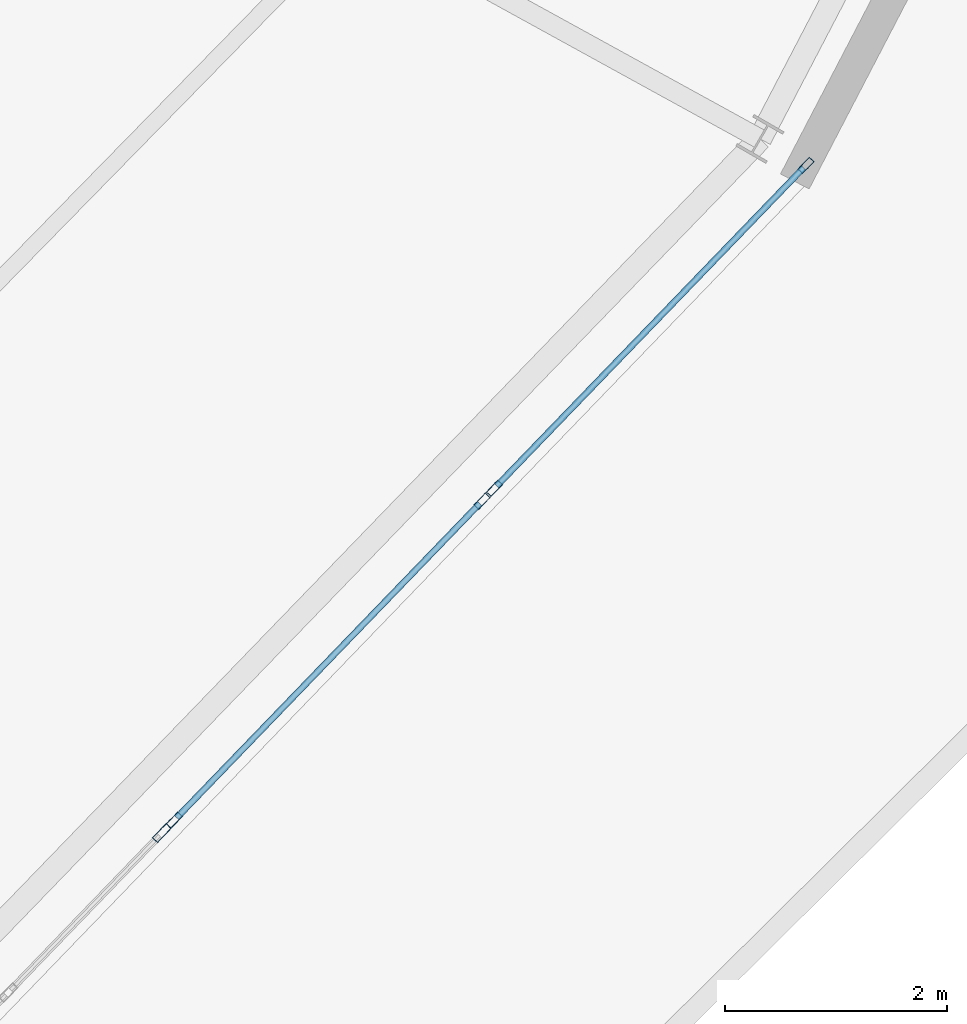
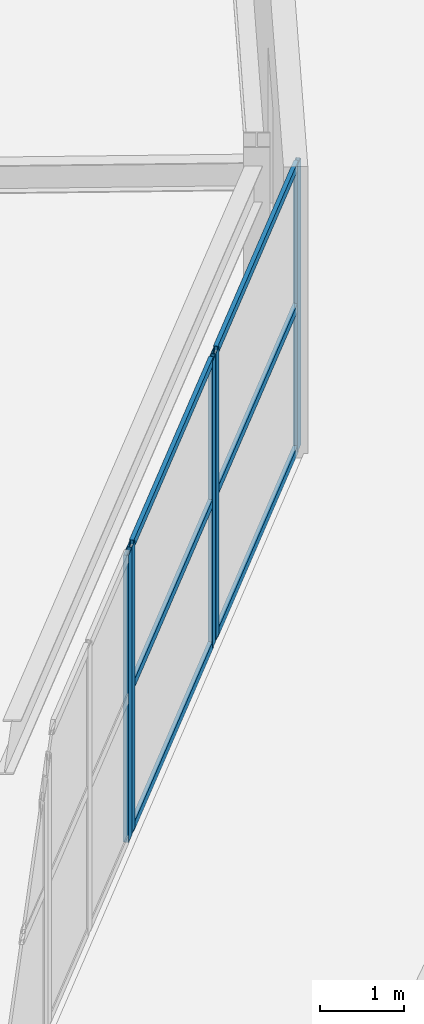
# One storey, part 84 of 126: 11 members, 3 elements without a shape of their own.
"""IFC4 building model written with IfcOpenShell, lengths in metres."""

from ifc_helpers import new_model, si_unit, direction, frame, origin, origin_2d, place, context, subcontext, project, spatial, hollow_rectangle, extrude, material, layer, layer_set, material_profile, profile_set, type_object, element, aggregate, save


model = new_model("IFC4")

# Units and contexts
model_context = context("Model", 3, precision=1e-05, world=origin(), true_north=direction((0.0, 1.0)))
body_context = subcontext(model_context, "Body", "Model", "MODEL_VIEW")
ifc_project = project(units=[si_unit("LENGTHUNIT", "METRE"), si_unit("AREAUNIT", "SQUARE_METRE"), si_unit("VOLUMEUNIT", "CUBIC_METRE"), si_unit("PLANEANGLEUNIT", "RADIAN"), si_unit("MASSUNIT", "GRAM", prefix="KILO")], contexts=[model_context])

# Site, building, storey
site_placement = place(None, origin())
site = spatial("IfcSite", under=ifc_project, at=site_placement, CompositionType="ELEMENT")
building_placement = place(site_placement, origin())
building = spatial("IfcBuilding", under=site, at=building_placement, Name="Kalgoora Escarpment Arena", CompositionType="ELEMENT")
storey_placement = place(building_placement, frame((0.0, 0.0, 18.89990234375)))
storey = spatial("IfcBuildingStorey", under=building, at=storey_placement, Name="L04", CompositionType="ELEMENT", Elevation=18.89990234375)

# Curtain wall, members
ifc_material_1 = material(Name=" Champagne anodised aluminium & double-glazed low-E", Category="aluminium")
ifc_layer_1 = layer(ifc_material_1, 0.166015625)
ifc_layer_set_1 = layer_set([ifc_layer_1], Name="CW-UNIT-19")
curtain_wall_type_1 = type_object("IfcCurtainWallType", Name="CW-UNIT-19", PredefinedType="NOTDEFINED", material=ifc_layer_set_1)
curtain_wall_1_placement = place(storey_placement, origin())
curtain_wall_1 = element("IfcCurtainWall", 1, at=curtain_wall_1_placement, inside=storey, type_object=curtain_wall_type_1, Name="L04 unitised facade curtain wall 098", PredefinedType="NOTDEFINED")
ifc_material_2 = material(Name="Anodised aluminium 6063-T6", Category="aluminium")
ifc_material_profile_1 = material_profile(ifc_material_2, hollow_rectangle(XDim=0.06005859375, YDim=0.14990234375, WallThickness=0.00341796875, at=origin_2d()))
ifc_profile_set_1 = profile_set([ifc_material_profile_1], Name="Anodised aluminium 6063-T6")
member_type_1 = type_object("IfcMemberType", Name="MEM-CW-MULL-150", PredefinedType="MULLION", material=ifc_profile_set_1)
member_1_placement = place(storey_placement, frame((154.992919921875, 35.26171875, 0.02001953125), z_axis=(0.0, 0.0, 1.0), x_axis=(0.719779772297, -0.69420247723, 0.0)))
member_1 = element("IfcMember", 2, at=member_1_placement, type_object=member_type_1, Name="CW-19 mullion 1", PredefinedType="MULLION", context=body_context, shape_type="SweptSolid", body=[
    extrude(hollow_rectangle(XDim=0.06005859375, YDim=0.14990234375, WallThickness=0.00341796875, at=origin_2d()), origin(), (0.0, 0.0, 1.0), 4.170166015625),
])
member_2_placement = place(storey_placement, frame((152.19287109375, 32.3583984375, 0.02001953125), z_axis=(0.0, 0.0, 1.0), x_axis=(0.719779772297, -0.69420247723, 0.0)))
member_2 = element("IfcMember", 3, at=member_2_placement, type_object=member_type_1, Name="CW-19 mullion 2", PredefinedType="MULLION", context=body_context, shape_type="SweptSolid", body=[
    extrude(hollow_rectangle(XDim=0.06005859375, YDim=0.14990234375, WallThickness=0.00341796875, at=origin_2d()), origin(), (0.0, 0.0, 1.0), 4.170166015625),
])

ifc_material_3 = material(Name=" Champagne anodised aluminium & double-glazed low-E", Category="aluminium")
ifc_layer_2 = layer(ifc_material_3, 0.14990234375)
ifc_layer_set_2 = layer_set([ifc_layer_2], Name="CW-UNIT-20")
curtain_wall_type_2 = type_object("IfcCurtainWallType", Name="CW-UNIT-20", PredefinedType="NOTDEFINED", material=ifc_layer_set_2)
curtain_wall_2_placement = place(storey_placement, origin())
curtain_wall_2 = element("IfcCurtainWall", 4, at=curtain_wall_2_placement, inside=storey, type_object=curtain_wall_type_2, Name="L04 unitised facade curtain wall 099", PredefinedType="NOTDEFINED")
member_3_placement = place(storey_placement, frame((152.081787109375, 32.243408203125, 0.02001953125), z_axis=(0.0, 0.0, 1.0), x_axis=(0.719777208849, -0.694205135116, 0.0)))
member_3 = element("IfcMember", 5, at=member_3_placement, type_object=member_type_1, Name="CW-20 mullion 1", PredefinedType="MULLION", context=body_context, shape_type="SweptSolid", body=[
    extrude(hollow_rectangle(XDim=0.06005859375, YDim=0.14990234375, WallThickness=0.00341796875, at=origin_2d()), origin(), (0.0, 0.0, 1.0), 4.170166015625),
])
member_4_placement = place(storey_placement, frame((149.31640625, 29.376220703125, 0.02001953125), z_axis=(0.0, 0.0, 1.0), x_axis=(0.719777208849, -0.694205135116, 0.0)))
member_4 = element("IfcMember", 6, at=member_4_placement, type_object=member_type_1, Name="CW-20 mullion 2", PredefinedType="MULLION", context=body_context, shape_type="SweptSolid", body=[
    extrude(hollow_rectangle(XDim=0.06005859375, YDim=0.14990234375, WallThickness=0.00341796875, at=origin_2d()), origin(), (0.0, 0.0, 1.0), 4.170166015625),
])

# Curtain wall, member
ifc_material_4 = material(Name=" Champagne anodised aluminium & double-glazed low-E", Category="aluminium")
ifc_layer_3 = layer(ifc_material_4, 0.154052734375)
ifc_layer_set_3 = layer_set([ifc_layer_3], Name="CW-UNIT-01")
curtain_wall_type_3 = type_object("IfcCurtainWallType", Name="CW-UNIT-01", PredefinedType="NOTDEFINED", material=ifc_layer_set_3)
curtain_wall_3_placement = place(storey_placement, origin())
curtain_wall_3 = element("IfcCurtainWall", 7, at=curtain_wall_3_placement, inside=storey, type_object=curtain_wall_type_3, Name="L04 unitised facade curtain wall 100", PredefinedType="NOTDEFINED")
ifc_material_5 = material(Name="Anodised aluminium 6063-T6", Category="aluminium")
ifc_material_profile_2 = material_profile(ifc_material_5, hollow_rectangle(XDim=0.06494140625, YDim=0.179931640625, WallThickness=0.00390625, at=origin_2d()))
ifc_profile_set_2 = profile_set([ifc_material_profile_2], Name="Anodised aluminium 6063-T6")
member_type_2 = type_object("IfcMemberType", Name="MEM-CW-MULL-180", PredefinedType="MULLION", material=ifc_profile_set_2)
member_5_placement = place(storey_placement, frame((149.203857421875, 29.25927734375, 0.02001953125), z_axis=(0.0, 0.0, 1.0), x_axis=(0.719777208849, -0.694205135116, 0.0)))
member_5 = element("IfcMember", 8, at=member_5_placement, type_object=member_type_2, Name="CW-01 mullion 1", PredefinedType="MULLION", context=body_context, shape_type="SweptSolid", body=[
    extrude(hollow_rectangle(XDim=0.06494140625, YDim=0.179931640625, WallThickness=0.00390625, at=origin_2d()), origin(), (0.0, 0.0, 1.0), 4.170166015625),
])
aggregate(curtain_wall_3, [member_5])

# Member
ifc_material_6 = material(Name="Anodised aluminium 6063-T6", Category="aluminium")
ifc_material_profile_3 = material_profile(ifc_material_6, hollow_rectangle(XDim=0.054931640625, YDim=0.1201171875, WallThickness=0.003173828125, at=origin_2d()))
ifc_profile_set_3 = profile_set([ifc_material_profile_3], Name="Anodised aluminium 6063-T6")
member_type_3 = type_object("IfcMemberType", Name="MEM-CW-TRAN-120", PredefinedType="USERDEFINED", material=ifc_profile_set_3)
member_6_placement = place(storey_placement, frame((154.97216796875, 35.240234375, 0.047607421875), z_axis=(-0.69417991524, -0.719801531867, 0.0), x_axis=(0.719801531867, -0.69417991524, 0.0)))
member_6 = element("IfcMember", 9, at=member_6_placement, type_object=member_type_3, Name="CW-19 transom 1.1", ObjectType="TRANSOM", PredefinedType="USERDEFINED", context=body_context, shape_type="SweptSolid", body=[
    extrude(hollow_rectangle(XDim=0.054931640625, YDim=0.1201171875, WallThickness=0.003173828125, at=origin_2d()), origin(), (0.0, 0.0, 1.0), 3.973388671875),
])

member_7_placement = place(storey_placement, frame((154.97216796875, 35.240234375, 2.114990234375), z_axis=(-0.69417991524, -0.719801531867, 0.0), x_axis=(0.719801531867, -0.69417991524, 0.0)))
member_7 = element("IfcMember", 10, at=member_7_placement, type_object=member_type_3, Name="CW-19 transom 1.2", ObjectType="TRANSOM", PredefinedType="USERDEFINED", context=body_context, shape_type="SweptSolid", body=[
    extrude(hollow_rectangle(XDim=0.054931640625, YDim=0.1201171875, WallThickness=0.003173828125, at=origin_2d()), origin(), (0.0, 0.0, 1.0), 3.973388671875),
])

member_8_placement = place(storey_placement, frame((154.97216796875, 35.240234375, 4.16259765625), z_axis=(-0.69417991524, -0.719801531867, 0.0), x_axis=(0.719801531867, -0.69417991524, 0.0)))
member_8 = element("IfcMember", 11, at=member_8_placement, type_object=member_type_3, Name="CW-19 transom 1.3", ObjectType="TRANSOM", PredefinedType="USERDEFINED", context=body_context, shape_type="SweptSolid", body=[
    extrude(hollow_rectangle(XDim=0.054931640625, YDim=0.1201171875, WallThickness=0.003173828125, at=origin_2d()), origin(), (0.0, 0.0, 1.0), 3.973388671875),
])

aggregate(curtain_wall_1, [member_1, member_2, member_6, member_7, member_8])

member_9_placement = place(storey_placement, frame((152.06103515625, 32.221923828125, 0.047607421875), z_axis=(-0.694172418863, -0.719808761331, 0.0), x_axis=(0.719808761331, -0.694172418863, 0.0)))
member_9 = element("IfcMember", 12, at=member_9_placement, type_object=member_type_3, Name="CW-20 transom 1.1", ObjectType="TRANSOM", PredefinedType="USERDEFINED", context=body_context, shape_type="SweptSolid", body=[
    extrude(hollow_rectangle(XDim=0.054931640625, YDim=0.1201171875, WallThickness=0.003173828125, at=origin_2d()), origin(), (0.0, 0.0, 1.0), 3.923583984375),
])

member_10_placement = place(storey_placement, frame((152.06103515625, 32.221923828125, 2.114990234375), z_axis=(-0.694172418863, -0.719808761331, 0.0), x_axis=(0.719808761331, -0.694172418863, 0.0)))
member_10 = element("IfcMember", 13, at=member_10_placement, type_object=member_type_3, Name="CW-20 transom 1.2", ObjectType="TRANSOM", PredefinedType="USERDEFINED", context=body_context, shape_type="SweptSolid", body=[
    extrude(hollow_rectangle(XDim=0.054931640625, YDim=0.1201171875, WallThickness=0.003173828125, at=origin_2d()), origin(), (0.0, 0.0, 1.0), 3.923583984375),
])

member_11_placement = place(storey_placement, frame((152.06103515625, 32.221923828125, 4.16259765625), z_axis=(-0.694172418863, -0.719808761331, 0.0), x_axis=(0.719808761331, -0.694172418863, 0.0)))
member_11 = element("IfcMember", 14, at=member_11_placement, type_object=member_type_3, Name="CW-20 transom 1.3", ObjectType="TRANSOM", PredefinedType="USERDEFINED", context=body_context, shape_type="SweptSolid", body=[
    extrude(hollow_rectangle(XDim=0.054931640625, YDim=0.1201171875, WallThickness=0.003173828125, at=origin_2d()), origin(), (0.0, 0.0, 1.0), 3.923583984375),
])

aggregate(curtain_wall_2, [member_3, member_4, member_9, member_10, member_11])

save(model, "model.ifc")
